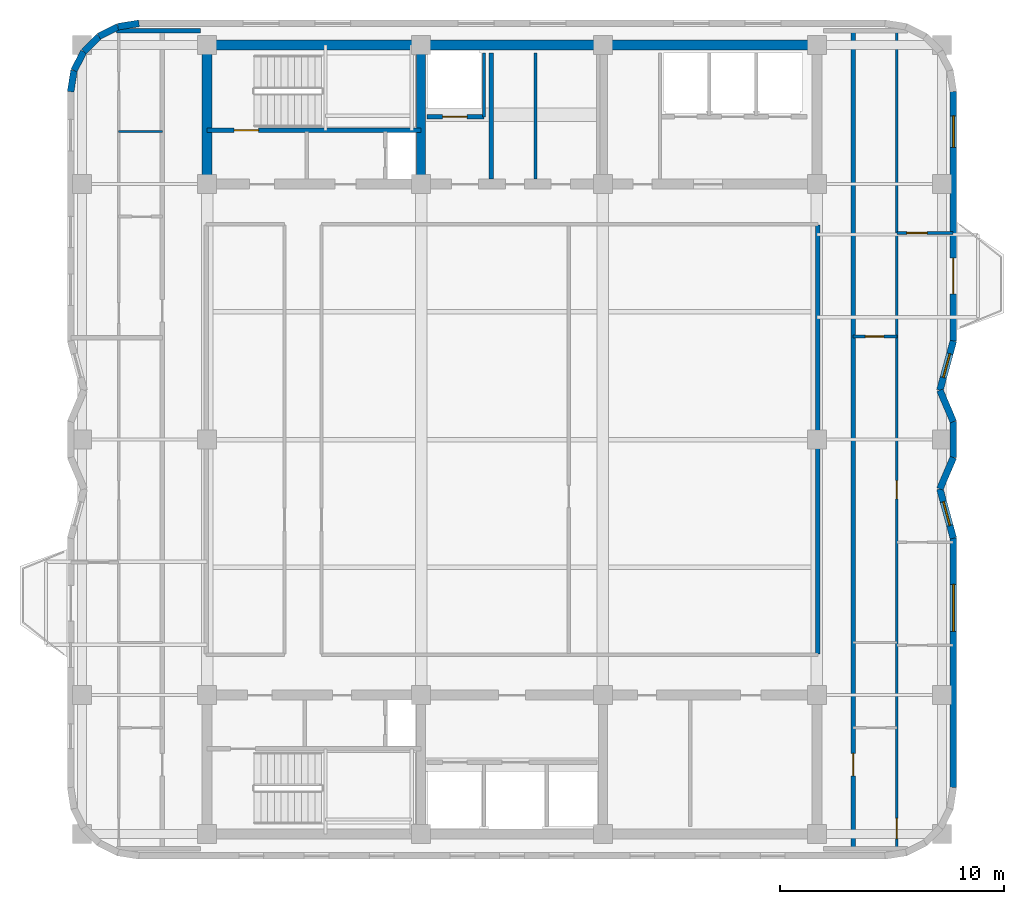
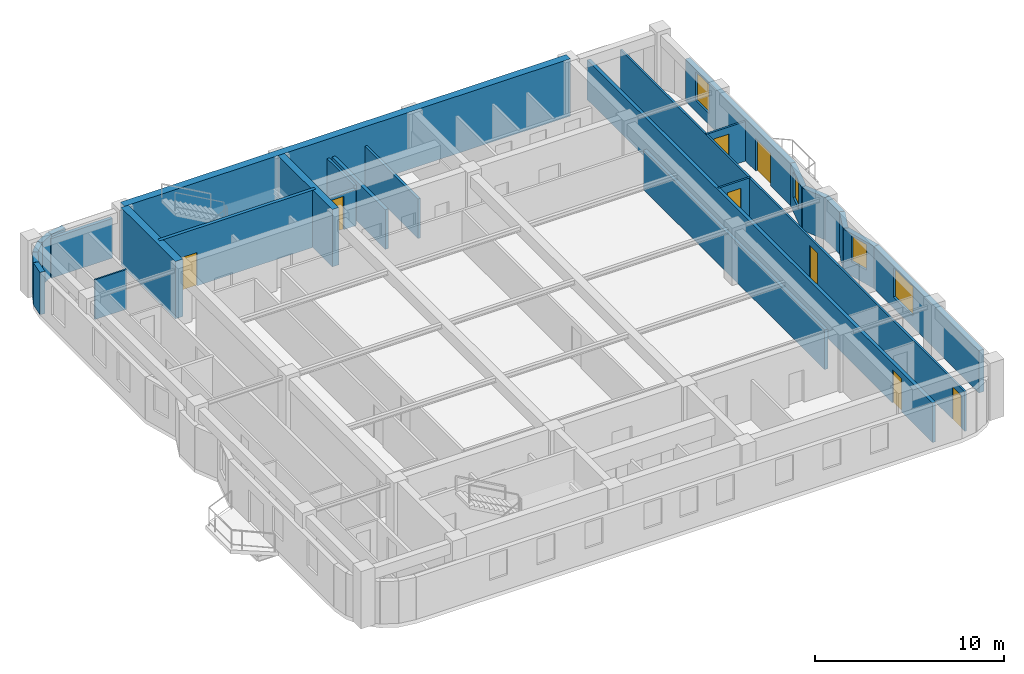
# One storey, part 5 of 8: 27 walls, 8 doors, 4 windows, 12 openings.
"""IFC4 building model written with IfcOpenShell, lengths in metres."""

from ifc_helpers import new_model, si_unit, direction, frame, frame_2d, origin, place, context, subcontext, project, spatial, rectangle, extrude, material, layer, layer_set, type_object, element, fill, save


model = new_model("IFC4")

# Units and contexts
model_context = context("Model", 3, precision=1e-05, world=origin(), true_north=direction((0.0, 1.0)))
body_context = subcontext(model_context, "Body", "Model", "MODEL_VIEW")
ifc_project = project(units=[si_unit("LENGTHUNIT", "METRE"), si_unit("AREAUNIT", "SQUARE_METRE"), si_unit("VOLUMEUNIT", "CUBIC_METRE"), si_unit("PLANEANGLEUNIT", "RADIAN"), si_unit("MASSUNIT", "GRAM", prefix="KILO")], contexts=[model_context])

# Site, building, storey
site_placement = place(None, origin())
site = spatial("IfcSite", under=ifc_project, at=site_placement, CompositionType="ELEMENT")
building_placement = place(site_placement, origin())
building = spatial("IfcBuilding", under=site, at=building_placement, Name="Svetorya Sky Lyceum", CompositionType="ELEMENT")
storey_placement = place(building_placement, frame((0.0, 0.0, 251.699951171875)))
storey = spatial("IfcBuildingStorey", under=building, at=storey_placement, Name="L63", CompositionType="ELEMENT", Elevation=251.699951171875)

# Walls
ifc_material_1 = material(Name="Concrete C40/50", Category="concrete")
ifc_layer_1 = layer(ifc_material_1, 0.39990234375)
ifc_layer_set_1 = layer_set([ifc_layer_1], Name="Concrete C40/50")
wall_type_1 = type_object("IfcWallType", Name="WL-CORE-400", PredefinedType="SHEAR", material=ifc_layer_set_1)
wall_1_placement = place(storey_placement, frame((35.14990234375, 39.824951171875, 0.0), z_axis=(0.0, 0.0, 1.0), x_axis=(0.0, 1.0, 0.0)))
element("IfcWall", 1, at=wall_1_placement, inside=storey, type_object=wall_type_1, Name="L63 NC Internal Shear Web WEB1", PredefinedType="SHEAR", context=body_context, shape_type="SweptSolid", body=[
    extrude(rectangle(XDim=5.75, YDim=0.39990234375, at=frame_2d((2.875, 0.0))), origin(), (0.0, 0.0, 1.0), 3.699951171875),
])
ifc_material_2 = material(Name="Concrete C50/60", Category="concrete")
ifc_layer_2 = layer(ifc_material_2, 0.449951171875)
ifc_layer_set_2 = layer_set([ifc_layer_2], Name="Concrete C50/60")
wall_type_2 = type_object("IfcWallType", Name="WL-CORE-450", PredefinedType="SHEAR", material=ifc_layer_set_2)
wall_2_placement = place(storey_placement, frame((25.60009765625, 45.800048828125, 0.0), z_axis=(0.0, 0.0, 1.0), x_axis=(1.0, 0.0, 0.0)))
element("IfcWall", 2, at=wall_2_placement, inside=storey, type_object=wall_type_2, Name="L63 NC Outer Core Shear Wall", PredefinedType="SHEAR", context=body_context, shape_type="SweptSolid", body=[
    extrude(rectangle(XDim=27.199951171875, YDim=0.449951171875, at=frame_2d((13.60009765625, 0.0))), origin(), (0.0, 0.0, 1.0), 3.699951171875),
])
wall_3_placement = place(storey_placement, frame((25.60009765625, 39.824951171875, 0.0), z_axis=(0.0, 0.0, 1.0), x_axis=(0.0, 1.0, 0.0)))
element("IfcWall", 3, at=wall_3_placement, inside=storey, type_object=wall_type_2, Name="L63 NC West Core Shear Wall", PredefinedType="SHEAR", context=body_context, shape_type="SweptSolid", body=[
    extrude(rectangle(XDim=5.75, YDim=0.449951171875, at=frame_2d((2.875, 0.0))), origin(), (0.0, 0.0, 1.0), 3.699951171875),
])

# Wall, opening, window
ifc_material_3 = material(Name="Putilovo limestone rainscreen on autoclaved cellular masonry", Category="masonry")
ifc_layer_3 = layer(ifc_material_3, 0.300048828125)
ifc_layer_set_3 = layer_set([ifc_layer_3], Name="Putilovo limestone rainscreen on autoclaved cellular masonry")
wall_type_3 = type_object("IfcWallType", Name="WL-EXT-300", PredefinedType="SOLIDWALL", material=ifc_layer_set_3)
wall_4_placement = place(storey_placement, frame((58.889892578125, 12.679931640625, 0.0), z_axis=(0.0, 0.0, 1.0), x_axis=(0.0, 1.0, 0.0)))
wall_4 = element("IfcWall", 4, at=wall_4_placement, inside=storey, type_object=wall_type_3, Name="L63 Limestone Exterior Wall 12M", PredefinedType="SOLIDWALL", context=body_context, shape_type="SweptSolid", body=[
    extrude(rectangle(XDim=11.1201171875, YDim=0.300048828125, at=frame_2d((5.56005859375, 0.0))), origin(), (0.0, 0.0, 1.0), 2.72998046875),
])
opening_1_placement = place(wall_4_placement, frame((6.965087890625, 0.0, 0.7099609375)))
opening_1 = element("IfcOpeningElement", 5, at=opening_1_placement, cuts=wall_4, Name="Opening W-R0", PredefinedType="OPENING", context=body_context, shape_type="SweptSolid", body=[
    extrude(rectangle(XDim=2.10009765625, YDim=1.89990234375, at=frame_2d((1.050048828125, 0.949951171875))), frame((0.0, 0.159912109375, 0.0), z_axis=(0.0, -1.0, 0.0), x_axis=(1.0, 0.0, 0.0)), (0.0, 0.0, 1.0), 0.320068359375),
])
ifc_material_4 = material(Name="Thermally broken aluminium frame with triple low-E glazing", Category="aluminium")
window_type_1 = type_object("IfcWindowType", Name="WN-RES-210", PartitioningType="TRIPLE_PANEL_VERTICAL", PredefinedType="WINDOW", material=ifc_material_4)
window_1_placement = place(opening_1_placement, origin())
window_1 = element("IfcWindow", 6, at=window_1_placement, inside=storey, type_object=window_type_1, Name="L63 Facade Window W-R0.12M.1", OverallHeight=1.89990234375, OverallWidth=2.10009765625, PartitioningType="SINGLE_PANEL", PredefinedType="WINDOW", context=body_context, shape_type="SweptSolid", body=[
    extrude(rectangle(XDim=2.10009765625, YDim=1.89990234375, at=frame_2d((1.050048828125, 0.949951171875))), frame((0.0, 0.030029296875, 0.0), z_axis=(0.0, -1.0, 0.0), x_axis=(1.0, 0.0, 0.0)), (0.0, 0.0, 1.0), 0.06005859375),
])
fill(opening_1, window_1)

wall_5_placement = place(storey_placement, frame((58.889892578125, 23.800048828125, 0.0), z_axis=(0.0, 0.0, 1.0), x_axis=(-0.2630630484, 0.964778644336, 0.0)))
wall_5 = element("IfcWall", 7, at=wall_5_placement, inside=storey, type_object=wall_type_3, Name="L63 Limestone Exterior Wall 13M", PredefinedType="SOLIDWALL", context=body_context, shape_type="SweptSolid", body=[
    extrude(rectangle(XDim=2.2802734375, YDim=0.300048828125, at=frame_2d((1.14013671875, 0.0))), origin(), (0.0, 0.0, 1.0), 2.72998046875),
])
opening_2_placement = place(wall_5_placement, frame((0.590087890625, 0.0, 0.919921875)))
opening_2 = element("IfcOpeningElement", 8, at=opening_2_placement, cuts=wall_5, Name="Opening W-R3", PredefinedType="OPENING", context=body_context, shape_type="SweptSolid", body=[
    extrude(rectangle(XDim=1.10009765625, YDim=1.64990234375, at=frame_2d((0.550048828125, 0.824951171875))), frame((0.0, 0.159912109375, 0.0), z_axis=(0.0, -1.0, 0.0), x_axis=(1.0, 0.0, 0.0)), (0.0, 0.0, 1.0), 0.320068359375),
])
window_type_2 = type_object("IfcWindowType", Name="WN-RES-110", PartitioningType="SINGLE_PANEL", PredefinedType="WINDOW", material=ifc_material_4)
window_2_placement = place(opening_2_placement, origin())
window_2 = element("IfcWindow", 9, at=window_2_placement, inside=storey, type_object=window_type_2, Name="L63 Facade Window W-R3.13M.1", OverallHeight=1.64990234375, OverallWidth=1.10009765625, PartitioningType="SINGLE_PANEL", PredefinedType="WINDOW", context=body_context, shape_type="SweptSolid", body=[
    extrude(rectangle(XDim=1.10009765625, YDim=1.64990234375, at=frame_2d((0.550048828125, 0.824951171875))), frame((0.0, 0.030029296875, 0.0), z_axis=(0.0, -1.0, 0.0), x_axis=(1.0, 0.0, 0.0)), (0.0, 0.0, 1.0), 0.06005859375),
])
fill(opening_2, window_2)

# Walls
wall_6_placement = place(storey_placement, frame((58.2900390625, 26.0, 0.0), z_axis=(0.0, 0.0, 1.0), x_axis=(0.393861257526, 0.919169902586, 0.0)))
element("IfcWall", 10, at=wall_6_placement, inside=storey, type_object=wall_type_3, Name="L63 Limestone Exterior Wall 14M", PredefinedType="SOLIDWALL", context=body_context, shape_type="SweptSolid", body=[
    extrude(rectangle(XDim=1.52294921875, YDim=0.300048828125, at=frame_2d((0.761474609375, 0.0))), origin(), (0.0, 0.0, 1.0), 2.72998046875),
])
wall_7_placement = place(storey_placement, frame((58.889892578125, 27.39990234375, 0.0), z_axis=(0.0, 0.0, 1.0), x_axis=(0.0, 1.0, 0.0)))
element("IfcWall", 11, at=wall_7_placement, inside=storey, type_object=wall_type_3, Name="L63 Limestone Exterior Wall 15M", PredefinedType="SOLIDWALL", context=body_context, shape_type="SweptSolid", body=[
    extrude(rectangle(XDim=1.60009765625, YDim=0.300048828125, at=frame_2d((0.800048828125, 0.0))), origin(), (0.0, 0.0, 1.0), 2.72998046875),
])
wall_8_placement = place(storey_placement, frame((58.889892578125, 29.0, 0.0), z_axis=(0.0, 0.0, 1.0), x_axis=(-0.393861257526, 0.919169902586, 0.0)))
element("IfcWall", 12, at=wall_8_placement, inside=storey, type_object=wall_type_3, Name="L63 Limestone Exterior Wall 16M", PredefinedType="SOLIDWALL", context=body_context, shape_type="SweptSolid", body=[
    extrude(rectangle(XDim=1.52294921875, YDim=0.300048828125, at=frame_2d((0.761474609375, 0.0))), origin(), (0.0, 0.0, 1.0), 2.72998046875),
])

# Wall, opening, window
wall_9_placement = place(storey_placement, frame((58.2900390625, 30.39990234375, 0.0), z_axis=(0.0, 0.0, 1.0), x_axis=(0.263035877812, 0.96478605244, 0.0)))
wall_9 = element("IfcWall", 13, at=wall_9_placement, inside=storey, type_object=wall_type_3, Name="L63 Limestone Exterior Wall 17M", PredefinedType="SOLIDWALL", context=body_context, shape_type="SweptSolid", body=[
    extrude(rectangle(XDim=2.280517578125, YDim=0.300048828125, at=frame_2d((1.14013671875, 0.0))), origin(), (0.0, 0.0, 1.0), 2.72998046875),
])
opening_3_placement = place(wall_9_placement, frame((0.590087890625, 0.0, 0.919921875)))
opening_3 = element("IfcOpeningElement", 14, at=opening_3_placement, cuts=wall_9, Name="Opening W-R3", PredefinedType="OPENING", context=body_context, shape_type="SweptSolid", body=[
    extrude(rectangle(XDim=1.10009765625, YDim=1.64990234375, at=frame_2d((0.550048828125, 0.824951171875))), frame((0.0, 0.159912109375, 0.0), z_axis=(0.0, -1.0, 0.0), x_axis=(1.0, 0.0, 0.0)), (0.0, 0.0, 1.0), 0.320068359375),
])
window_3_placement = place(opening_3_placement, origin())
window_3 = element("IfcWindow", 15, at=window_3_placement, inside=storey, type_object=window_type_2, Name="L63 Facade Window W-R3.17M.1", OverallHeight=1.64990234375, OverallWidth=1.10009765625, PartitioningType="SINGLE_PANEL", PredefinedType="WINDOW", context=body_context, shape_type="SweptSolid", body=[
    extrude(rectangle(XDim=1.10009765625, YDim=1.64990234375, at=frame_2d((0.550048828125, 0.824951171875))), frame((0.0, 0.030029296875, 0.0), z_axis=(0.0, -1.0, 0.0), x_axis=(1.0, 0.0, 0.0)), (0.0, 0.0, 1.0), 0.06005859375),
])
fill(opening_3, window_3)

# Wall, openings, door, window
wall_10_placement = place(storey_placement, frame((58.889892578125, 32.60009765625, 0.0), z_axis=(0.0, 0.0, 1.0), x_axis=(0.0, 1.0, 0.0)))
wall_10 = element("IfcWall", 16, at=wall_10_placement, inside=storey, type_object=wall_type_3, Name="L63 Limestone Exterior Wall 18M", PredefinedType="SOLIDWALL", context=body_context, shape_type="SweptSolid", body=[
    extrude(rectangle(XDim=11.119873046875, YDim=0.300048828125, at=frame_2d((5.56005859375, 0.0))), origin(), (0.0, 0.0, 1.0), 2.72998046875),
])
opening_4_placement = place(wall_10_placement, frame((2.10009765625, 0.0, 0.0)))
opening_4 = element("IfcOpeningElement", 17, at=opening_4_placement, cuts=wall_10, Name="Opening D-BL1", PredefinedType="OPENING", context=body_context, shape_type="SweptSolid", body=[
    extrude(rectangle(XDim=1.60009765625, YDim=2.10009765625, at=frame_2d((0.800048828125, 1.050048828125))), frame((0.0, 0.159912109375, 0.0), z_axis=(0.0, -1.0, 0.0), x_axis=(1.0, 0.0, 0.0)), (0.0, 0.0, 1.0), 0.320068359375),
])
opening_5_placement = place(wall_10_placement, frame((8.639892578125, 0.0, 0.719970703125)))
opening_5 = element("IfcOpeningElement", 18, at=opening_5_placement, cuts=wall_10, Name="Opening W-R2", PredefinedType="OPENING", context=body_context, shape_type="SweptSolid", body=[
    extrude(rectangle(XDim=1.39990234375, YDim=1.85009765625, at=frame_2d((0.699951171875, 0.925048828125))), frame((0.0, 0.159912109375, 0.0), z_axis=(0.0, -1.0, 0.0), x_axis=(1.0, 0.0, 0.0)), (0.0, 0.0, 1.0), 0.320068359375),
])
ifc_material_5 = material(Name="Insulated glazed aluminium balcony door", Category="aluminium")
door_type_1 = type_object("IfcDoorType", Name="DR-BAL-1600", OperationType="DOUBLE_DOOR_SINGLE_SWING", PredefinedType="DOOR", material=ifc_material_5)
door_1_placement = place(opening_4_placement, origin())
door_1 = element("IfcDoor", 19, at=door_1_placement, inside=storey, type_object=door_type_1, Name="L63 Balcony BAL-E1 Door", OperationType="DOUBLE_DOOR_SINGLE_SWING", OverallHeight=2.10009765625, OverallWidth=1.60009765625, PredefinedType="DOOR", context=body_context, shape_type="SweptSolid", body=[
    extrude(rectangle(XDim=1.60009765625, YDim=2.10009765625, at=frame_2d((0.800048828125, 1.050048828125))), frame((0.0, 0.02490234375, 0.0), z_axis=(0.0, -1.0, 0.0), x_axis=(1.0, 0.0, 0.0)), (0.0, 0.0, 1.0), 0.050048828125),
])
fill(opening_4, door_1)
window_type_3 = type_object("IfcWindowType", Name="WN-RES-140", PartitioningType="SINGLE_PANEL", PredefinedType="WINDOW", material=ifc_material_4)
window_4_placement = place(opening_5_placement, origin())
window_4 = element("IfcWindow", 20, at=window_4_placement, inside=storey, type_object=window_type_3, Name="L63 Facade Window W-R2.18M.1", OverallHeight=1.85009765625, OverallWidth=1.39990234375, PartitioningType="SINGLE_PANEL", PredefinedType="WINDOW", context=body_context, shape_type="SweptSolid", body=[
    extrude(rectangle(XDim=1.39990234375, YDim=1.85009765625, at=frame_2d((0.699951171875, 0.925048828125))), frame((0.0, 0.030029296875, 0.0), z_axis=(0.0, -1.0, 0.0), x_axis=(1.0, 0.0, 0.0)), (0.0, 0.0, 1.0), 0.06005859375),
])
fill(opening_5, window_4)

# Walls
wall_11_placement = place(storey_placement, frame((22.56005859375, 46.77001953125, 0.0), z_axis=(0.0, 0.0, 1.0), x_axis=(-0.987669453596, -0.156553666304, 0.0)))
element("IfcWall", 21, at=wall_11_placement, inside=storey, type_object=wall_type_3, Name="L63 Limestone Exterior Wall 25M", PredefinedType="SOLIDWALL", context=body_context, shape_type="SweptSolid", body=[
    extrude(rectangle(XDim=0.954345703125, YDim=0.300048828125, at=frame_2d((0.47705078125, 0.0))), origin(), (0.0, 0.0, 1.0), 2.72998046875),
])
wall_12_placement = place(storey_placement, frame((21.617431640625, 46.62060546875, 0.0), z_axis=(0.0, 0.0, 1.0), x_axis=(-0.891023873617, -0.45395644796, 0.0)))
element("IfcWall", 22, at=wall_12_placement, inside=storey, type_object=wall_type_3, Name="L63 Limestone Exterior Wall 26M", PredefinedType="SOLIDWALL", context=body_context, shape_type="SweptSolid", body=[
    extrude(rectangle(XDim=0.9541015625, YDim=0.300048828125, at=frame_2d((0.47705078125, 0.0))), origin(), (0.0, 0.0, 1.0), 2.72998046875),
])
wall_13_placement = place(storey_placement, frame((20.767333984375, 46.1875, 0.0), z_axis=(0.0, 0.0, 1.0), x_axis=(-0.707106781187, -0.707106781187, 0.0)))
element("IfcWall", 23, at=wall_13_placement, inside=storey, type_object=wall_type_3, Name="L63 Limestone Exterior Wall 27M", PredefinedType="SOLIDWALL", context=body_context, shape_type="SweptSolid", body=[
    extrude(rectangle(XDim=0.954345703125, YDim=0.300048828125, at=frame_2d((0.47705078125, 0.0))), origin(), (0.0, 0.0, 1.0), 2.72998046875),
])
wall_14_placement = place(storey_placement, frame((20.092529296875, 45.5126953125, 0.0), z_axis=(0.0, 0.0, 1.0), x_axis=(-0.454159573051, -0.890920356825, 0.0)))
element("IfcWall", 24, at=wall_14_placement, inside=storey, type_object=wall_type_3, Name="L63 Limestone Exterior Wall 28M", PredefinedType="SOLIDWALL", context=body_context, shape_type="SweptSolid", body=[
    extrude(rectangle(XDim=0.9541015625, YDim=0.300048828125, at=frame_2d((0.47705078125, 0.0))), origin(), (0.0, 0.0, 1.0), 2.72998046875),
])
wall_15_placement = place(storey_placement, frame((19.6591796875, 44.66259765625, 0.0), z_axis=(0.0, 0.0, 1.0), x_axis=(-0.156304114255, -0.987708977314, 0.0)))
element("IfcWall", 25, at=wall_15_placement, inside=storey, type_object=wall_type_3, Name="L63 Limestone Exterior Wall 29M", PredefinedType="SOLIDWALL", context=body_context, shape_type="SweptSolid", body=[
    extrude(rectangle(XDim=0.954345703125, YDim=0.300048828125, at=frame_2d((0.47705078125, 0.0))), origin(), (0.0, 0.0, 1.0), 2.72998046875),
])
ifc_material_6 = material(Name="Galvanized stud partition with moisture-resistant board", Category="gypsum")
ifc_layer_4 = layer(ifc_material_6, 0.10009765625)
ifc_layer_set_4 = layer_set([ifc_layer_4], Name="Galvanized stud partition with moisture-resistant board")
wall_type_4 = type_object("IfcWallType", Name="WL-PART-100", PredefinedType="PARTITIONING", material=ifc_layer_set_4)
wall_16_placement = place(storey_placement, frame((21.64990234375, 41.949951171875, 0.0), z_axis=(0.0, 0.0, 1.0), x_axis=(1.0, 0.0, 0.0)))
element("IfcWall", 26, at=wall_16_placement, inside=storey, type_object=wall_type_4, Name="L63 Interior Partition W2-WH2", PredefinedType="PARTITIONING", context=body_context, shape_type="SweptSolid", body=[
    extrude(rectangle(XDim=1.9501953125, YDim=0.10009765625, at=frame_2d((0.97509765625, 0.0))), origin(), (0.0, 0.0, 1.0), 2.56005859375),
])

# Wall, opening, door
ifc_material_7 = material(Name="Twin-stud galvanized framing with double fireboard", Category="gypsum")
ifc_layer_5 = layer(ifc_material_7, 0.1201171875)
ifc_layer_set_5 = layer_set([ifc_layer_5], Name="Twin-stud galvanized framing with double fireboard")
wall_type_5 = type_object("IfcWallType", Name="WL-PART-120", PredefinedType="PARTITIONING", material=ifc_layer_set_5)
wall_17_placement = place(storey_placement, frame((54.419921875, 32.800048828125, 0.0), z_axis=(0.0, 0.0, 1.0), x_axis=(1.0, 0.0, 0.0)))
wall_17 = element("IfcWall", 27, at=wall_17_placement, inside=storey, type_object=wall_type_5, Name="L63 Interior Partition E1-WH3", PredefinedType="PARTITIONING", context=body_context, shape_type="SweptSolid", body=[
    extrude(rectangle(XDim=1.9501953125, YDim=0.1201171875, at=frame_2d((0.97509765625, 0.0))), origin(), (0.0, 0.0, 1.0), 2.56005859375),
])
opening_6_placement = place(wall_17_placement, frame((0.550048828125, 0.0, 0.0)))
opening_6 = element("IfcOpeningElement", 28, at=opening_6_placement, cuts=wall_17, Name="Opening D-BT2", PredefinedType="OPENING", context=body_context, shape_type="SweptSolid", body=[
    extrude(rectangle(XDim=0.820068359375, YDim=2.080078125, at=frame_2d((0.41015625, 1.0400390625))), frame((0.0, 0.070068359375, 0.0), z_axis=(0.0, -1.0, 0.0), x_axis=(1.0, 0.0, 0.0)), (0.0, 0.0, 1.0), 0.14013671875),
])
ifc_material_8 = material(Name="Compact moisture-resistant laminate closet door")
door_type_2 = type_object("IfcDoorType", Name="DR-WET-820", OperationType="SINGLE_SWING_LEFT", PredefinedType="DOOR", material=ifc_material_8)
door_2_placement = place(opening_6_placement, origin())
door_2 = element("IfcDoor", 29, at=door_2_placement, inside=storey, type_object=door_type_2, Name="Apartment E1 Laundry Door", OperationType="SINGLE_SWING_LEFT", OverallHeight=2.080078125, OverallWidth=0.820068359375, PredefinedType="DOOR", context=body_context, shape_type="SweptSolid", body=[
    extrude(rectangle(XDim=0.820068359375, YDim=2.080078125, at=frame_2d((0.41015625, 1.0400390625))), frame((0.0, 0.02490234375, 0.0), z_axis=(0.0, -1.0, 0.0), x_axis=(1.0, 0.0, 0.0)), (0.0, 0.0, 1.0), 0.050048828125),
])
fill(opening_6, door_2)

wall_18_placement = place(storey_placement, frame((56.3701171875, 37.419921875, 0.0), z_axis=(0.0, 0.0, 1.0), x_axis=(1.0, 0.0, 0.0)))
wall_18 = element("IfcWall", 30, at=wall_18_placement, inside=storey, type_object=wall_type_5, Name="L63 Interior Partition E1-WL3", PredefinedType="PARTITIONING", context=body_context, shape_type="SweptSolid", body=[
    extrude(rectangle(XDim=2.5, YDim=0.1201171875, at=frame_2d((1.25, 0.0))), origin(), (0.0, 0.0, 1.0), 2.56005859375),
])
opening_7_placement = place(wall_18_placement, frame((0.449951171875, 0.0, 0.0)))
opening_7 = element("IfcOpeningElement", 31, at=opening_7_placement, cuts=wall_18, Name="Opening D-RM1", PredefinedType="OPENING", context=body_context, shape_type="SweptSolid", body=[
    extrude(rectangle(XDim=0.89990234375, YDim=2.10009765625, at=frame_2d((0.449951171875, 1.050048828125))), frame((0.0, 0.070068359375, 0.0), z_axis=(0.0, -1.0, 0.0), x_axis=(1.0, 0.0, 0.0)), (0.0, 0.0, 1.0), 0.14013671875),
])
ifc_material_9 = material(Name="Lacquered birch veneer internal door")
door_type_3 = type_object("IfcDoorType", Name="DR-INT-900", OperationType="SINGLE_SWING_LEFT", PredefinedType="DOOR", material=ifc_material_9)
door_3_placement = place(opening_7_placement, origin())
door_3 = element("IfcDoor", 32, at=door_3_placement, inside=storey, type_object=door_type_3, Name="Apartment E1 Bedroom 3 Door", OperationType="SINGLE_SWING_RIGHT", OverallHeight=2.10009765625, OverallWidth=0.89990234375, PredefinedType="DOOR", context=body_context, shape_type="SweptSolid", body=[
    extrude(rectangle(XDim=0.89990234375, YDim=2.10009765625, at=frame_2d((0.449951171875, 1.050048828125))), frame((0.0, 0.02490234375, 0.0), z_axis=(0.0, -1.0, 0.0), x_axis=(1.0, 0.0, 0.0)), (0.0, 0.0, 1.0), 0.050048828125),
])
fill(opening_7, door_3)

# Wall, openings, doors
wall_19_placement = place(storey_placement, frame((56.3701171875, 9.989990234375, 0.0), z_axis=(0.0, 0.0, 1.0), x_axis=(0.0, 1.0, 0.0)))
wall_19 = element("IfcWall", 33, at=wall_19_placement, inside=storey, type_object=wall_type_5, Name="L63 Interior Partition E1-WV", PredefinedType="PARTITIONING", context=body_context, shape_type="SweptSolid", body=[
    extrude(rectangle(XDim=36.419921875, YDim=0.1201171875, at=frame_2d((18.2099609375, 0.0))), origin(), (0.0, 0.0, 1.0), 2.56005859375),
])
opening_8_placement = place(wall_19_placement, frame((0.409912109375, 0.0, 0.0)))
opening_8 = element("IfcOpeningElement", 34, at=opening_8_placement, cuts=wall_19, Name="Opening D-RM1", PredefinedType="OPENING", context=body_context, shape_type="SweptSolid", body=[
    extrude(rectangle(XDim=0.89990234375, YDim=2.10009765625, at=frame_2d((0.449951171875, 1.050048828125))), frame((0.0, 0.070068359375, 0.0), z_axis=(0.0, -1.0, 0.0), x_axis=(1.0, 0.0, 0.0)), (0.0, 0.0, 1.0), 0.14013671875),
])
opening_9_placement = place(wall_19_placement, frame((15.56005859375, 0.0, 0.0)))
opening_9 = element("IfcOpeningElement", 35, at=opening_9_placement, cuts=wall_19, Name="Opening D-BT2", PredefinedType="OPENING", context=body_context, shape_type="SweptSolid", body=[
    extrude(rectangle(XDim=0.820068359375, YDim=2.080078125, at=frame_2d((0.41015625, 1.0400390625))), frame((0.0, 0.070068359375, 0.0), z_axis=(0.0, -1.0, 0.0), x_axis=(1.0, 0.0, 0.0)), (0.0, 0.0, 1.0), 0.14013671875),
])
door_4_placement = place(opening_8_placement, origin())
door_4 = element("IfcDoor", 36, at=door_4_placement, inside=storey, type_object=door_type_3, Name="Apartment E1 Living Door", OperationType="SINGLE_SWING_LEFT", OverallHeight=2.10009765625, OverallWidth=0.89990234375, PredefinedType="DOOR", context=body_context, shape_type="SweptSolid", body=[
    extrude(rectangle(XDim=0.89990234375, YDim=2.10009765625, at=frame_2d((0.449951171875, 1.050048828125))), frame((0.0, 0.02490234375, 0.0), z_axis=(0.0, -1.0, 0.0), x_axis=(1.0, 0.0, 0.0)), (0.0, 0.0, 1.0), 0.050048828125),
])
fill(opening_8, door_4)
door_5_placement = place(opening_9_placement, origin())
door_5 = element("IfcDoor", 37, at=door_5_placement, inside=storey, type_object=door_type_2, Name="Apartment E1 Study Door", OperationType="SINGLE_SWING_RIGHT", OverallHeight=2.080078125, OverallWidth=0.820068359375, PredefinedType="DOOR", context=body_context, shape_type="SweptSolid", body=[
    extrude(rectangle(XDim=0.820068359375, YDim=2.080078125, at=frame_2d((0.41015625, 1.0400390625))), frame((0.0, 0.02490234375, 0.0), z_axis=(0.0, -1.0, 0.0), x_axis=(1.0, 0.0, 0.0)), (0.0, 0.0, 1.0), 0.050048828125),
])
fill(opening_9, door_5)

# Walls
ifc_material_10 = material(Name="Autoclaved cellular masonry blockwork with acoustic render", Category="masonry")
ifc_layer_6 = layer(ifc_material_10, 0.14990234375)
ifc_layer_set_6 = layer_set([ifc_layer_6], Name="Autoclaved cellular masonry blockwork with acoustic render")
wall_type_6 = type_object("IfcWallType", Name="WL-PART-150", PredefinedType="PARTITIONING", material=ifc_layer_set_6)
wall_20_placement = place(storey_placement, frame((37.949951171875, 42.60009765625, 0.0), z_axis=(0.0, 0.0, 1.0), x_axis=(0.0, 1.0, 0.0)))
element("IfcWall", 38, at=wall_20_placement, inside=storey, type_object=wall_type_6, Name="L63 Interior Partition NC-FL1SIDE", PredefinedType="PARTITIONING", context=body_context, shape_type="SweptSolid", body=[
    extrude(rectangle(XDim=2.849853515625, YDim=0.14990234375, at=frame_2d((1.4248046875, 0.0))), origin(), (0.0, 0.0, 1.0), 2.56005859375),
])
wall_21_placement = place(storey_placement, frame((40.25, 39.820068359375, 0.0), z_axis=(0.0, 0.0, 1.0), x_axis=(0.0, 1.0, 0.0)))
element("IfcWall", 39, at=wall_21_placement, inside=storey, type_object=wall_type_6, Name="L63 Interior Partition NC-FPM-V2", PredefinedType="PARTITIONING", context=body_context, shape_type="SweptSolid", body=[
    extrude(rectangle(XDim=5.6298828125, YDim=0.14990234375, at=frame_2d((2.81494140625, 0.0))), origin(), (0.0, 0.0, 1.0), 2.56005859375),
])

# Wall, opening, door
ifc_material_11 = material(Name="Autoclaved cellular masonry blockwork with gypsum plaster", Category="masonry")
ifc_layer_7 = layer(ifc_material_11, 0.199951171875)
ifc_layer_set_7 = layer_set([ifc_layer_7], Name="Autoclaved cellular masonry blockwork with gypsum plaster")
wall_type_7 = type_object("IfcWallType", Name="WL-PART-200", PredefinedType="PARTITIONING", material=ifc_layer_set_7)
wall_22_placement = place(storey_placement, frame((37.949951171875, 42.60009765625, 0.0), z_axis=(0.0, 0.0, 1.0), x_axis=(-1.0, 0.0, 0.0)))
wall_22 = element("IfcWall", 40, at=wall_22_placement, inside=storey, type_object=wall_type_7, Name="L63 Interior Partition NC-FL1W", PredefinedType="PARTITIONING", context=body_context, shape_type="SweptSolid", body=[
    extrude(rectangle(XDim=2.550048828125, YDim=0.199951171875, at=frame_2d((1.27490234375, 0.0))), origin(), (0.0, 0.0, 1.0), 2.330078125),
])
opening_10_placement = place(wall_22_placement, frame((0.75, 0.0, 0.0)))
opening_10 = element("IfcOpeningElement", 41, at=opening_10_placement, cuts=wall_22, Name="Opening LD-FL", PredefinedType="OPENING", context=body_context, shape_type="SweptSolid", body=[
    extrude(rectangle(XDim=1.10009765625, YDim=2.14990234375, at=frame_2d((0.550048828125, 1.074951171875))), frame((0.0, 0.10986328125, 0.0), z_axis=(0.0, -1.0, 0.0), x_axis=(1.0, 0.0, 0.0)), (0.0, 0.0, 1.0), 0.219970703125),
])
ifc_material_12 = material(Name="Fire-rated stainless AISI 304 firefighting lift landing door")
door_type_4 = type_object("IfcDoorType", Name="DR-LIFT-1100", OperationType="SLIDING_TO_LEFT", PredefinedType="DOOR", material=ifc_material_12)
door_6_placement = place(opening_10_placement, origin())
door_6 = element("IfcDoor", 42, at=door_6_placement, inside=storey, type_object=door_type_4, Name="L63 Firefighting Lift FL1 Landing Door", OperationType="SLIDING_TO_LEFT", OverallHeight=2.14990234375, OverallWidth=1.10009765625, PredefinedType="DOOR", context=body_context, shape_type="SweptSolid", body=[
    extrude(rectangle(XDim=1.10009765625, YDim=2.14990234375, at=frame_2d((0.550048828125, 1.074951171875))), frame((0.0, 0.02490234375, 0.0), z_axis=(0.0, -1.0, 0.0), x_axis=(1.0, 0.0, 0.0)), (0.0, 0.0, 1.0), 0.050048828125),
])
fill(opening_10, door_6)

# Walls
wall_23_placement = place(storey_placement, frame((38.280029296875, 39.820068359375, 0.0), z_axis=(0.0, 0.0, 1.0), x_axis=(0.0, 1.0, 0.0)))
element("IfcWall", 43, at=wall_23_placement, inside=storey, type_object=wall_type_7, Name="L63 Interior Partition NC-FFLDIV", PredefinedType="PARTITIONING", context=body_context, shape_type="SweptSolid", body=[
    extrude(rectangle(XDim=5.6298828125, YDim=0.199951171875, at=frame_2d((2.81494140625, 0.0))), origin(), (0.0, 0.0, 1.0), 2.56005859375),
])
wall_24_placement = place(storey_placement, frame((52.85009765625, 18.6298828125, 0.0), z_axis=(0.0, 0.0, 1.0), x_axis=(0.0, 1.0, 0.0)))
element("IfcWall", 44, at=wall_24_placement, inside=storey, type_object=wall_type_7, Name="L63 Interior Partition E-CEN-SEP", PredefinedType="PARTITIONING", context=body_context, shape_type="SweptSolid", body=[
    extrude(rectangle(XDim=19.14013671875, YDim=0.199951171875, at=frame_2d((9.570068359375, 0.0))), origin(), (0.0, 0.0, 1.0), 2.56005859375),
])
wall_25_placement = place(storey_placement, frame((21.5458984375, 46.449951171875, 0.0), z_axis=(0.0, 0.0, 1.0), x_axis=(1.0, 0.0, 0.0)))
element("IfcWall", 45, at=wall_25_placement, inside=storey, type_object=wall_type_7, Name="L63 Interior Partition W-CAP-N", PredefinedType="PARTITIONING", context=body_context, shape_type="SweptSolid", body=[
    extrude(rectangle(XDim=3.754150390625, YDim=0.199951171875, at=frame_2d((1.876953125, 0.0))), origin(), (0.0, 0.0, 1.0), 2.56005859375),
])

# Wall, opening, door
wall_26_placement = place(storey_placement, frame((54.419921875, 9.949951171875, 0.0), z_axis=(0.0, 0.0, 1.0), x_axis=(0.0, 1.0, 0.0)))
wall_26 = element("IfcWall", 46, at=wall_26_placement, inside=storey, type_object=wall_type_7, Name="L63 Interior Partition E-CORRW", PredefinedType="PARTITIONING", context=body_context, shape_type="SweptSolid", body=[
    extrude(rectangle(XDim=36.5, YDim=0.199951171875, at=frame_2d((18.25, 0.0))), origin(), (0.0, 0.0, 1.0), 2.56005859375),
])
opening_11_placement = place(wall_26_placement, frame((3.25, 0.0, 0.0)))
opening_11 = element("IfcOpeningElement", 47, at=opening_11_placement, cuts=wall_26, Name="Opening D-APT1", PredefinedType="OPENING", context=body_context, shape_type="SweptSolid", body=[
    extrude(rectangle(XDim=1.0, YDim=2.14990234375, at=frame_2d((0.5, 1.074951171875))), frame((0.0, 0.10986328125, 0.0), z_axis=(0.0, -1.0, 0.0), x_axis=(1.0, 0.0, 0.0)), (0.0, 0.0, 1.0), 0.219970703125),
])
ifc_material_13 = material(Name="Insulated oak-veneered apartment entrance door")
door_type_5 = type_object("IfcDoorType", Name="DR-APT-1000", OperationType="SINGLE_SWING_LEFT", PredefinedType="DOOR", material=ifc_material_13)
door_7_placement = place(opening_11_placement, origin())
door_7 = element("IfcDoor", 48, at=door_7_placement, inside=storey, type_object=door_type_5, Name="L63 Apartment E1 Entrance Door", OperationType="SINGLE_SWING_RIGHT", OverallHeight=2.14990234375, OverallWidth=1.0, PredefinedType="DOOR", context=body_context, shape_type="SweptSolid", body=[
    extrude(rectangle(XDim=1.0, YDim=2.14990234375, at=frame_2d((0.5, 1.074951171875))), frame((0.0, 0.02490234375, 0.0), z_axis=(0.0, -1.0, 0.0), x_axis=(1.0, 0.0, 0.0)), (0.0, 0.0, 1.0), 0.050048828125),
])
fill(opening_11, door_7)

ifc_layer_8 = layer(ifc_material_2, 0.199951171875)
ifc_layer_set_8 = layer_set([ifc_layer_8], Name="Concrete C50/60")
wall_type_8 = type_object("IfcWallType", Name="WL-SHW-200", PredefinedType="SHEAR", material=ifc_layer_set_8)
wall_27_placement = place(storey_placement, frame((35.14990234375, 42.0, 0.0), z_axis=(0.0, 0.0, 1.0), x_axis=(-1.0, 0.0, 0.0)))
wall_27 = element("IfcWall", 49, at=wall_27_placement, inside=storey, type_object=wall_type_8, Name="L63 Structural Stair Shaft Wall NC-STW", PredefinedType="SHEAR", context=body_context, shape_type="SweptSolid", body=[
    extrude(rectangle(XDim=9.5498046875, YDim=0.199951171875, at=frame_2d((4.77490234375, 0.0))), origin(), (0.0, 0.0, 1.0), 3.699951171875),
])
opening_12_placement = place(wall_27_placement, frame((7.25, 0.0, 0.0)))
opening_12 = element("IfcOpeningElement", 50, at=opening_12_placement, cuts=wall_27, Name="Opening D-ST1", PredefinedType="OPENING", context=body_context, shape_type="SweptSolid", body=[
    extrude(rectangle(XDim=1.10009765625, YDim=2.14990234375, at=frame_2d((0.550048828125, 1.074951171875))), frame((0.0, 0.10986328125, 0.0), z_axis=(0.0, -1.0, 0.0), x_axis=(1.0, 0.0, 0.0)), (0.0, 0.0, 1.0), 0.219970703125),
])
ifc_material_14 = material(Name="Powder-coated insulated galvanized stair fire door")
door_type_6 = type_object("IfcDoorType", Name="DR-FIRE-1100", OperationType="SINGLE_SWING_LEFT", PredefinedType="DOOR", material=ifc_material_14)
door_8_placement = place(opening_12_placement, origin())
door_8 = element("IfcDoor", 51, at=door_8_placement, inside=storey, type_object=door_type_6, Name="L63 Stair ST-N Vestibule Fire Door", OperationType="SINGLE_SWING_RIGHT", OverallHeight=2.14990234375, OverallWidth=1.10009765625, PredefinedType="DOOR", context=body_context, shape_type="SweptSolid", body=[
    extrude(rectangle(XDim=1.10009765625, YDim=2.14990234375, at=frame_2d((0.550048828125, 1.074951171875))), frame((0.0, 0.02490234375, 0.0), z_axis=(0.0, -1.0, 0.0), x_axis=(1.0, 0.0, 0.0)), (0.0, 0.0, 1.0), 0.050048828125),
])
fill(opening_12, door_8)

save(model, "model.ifc")
